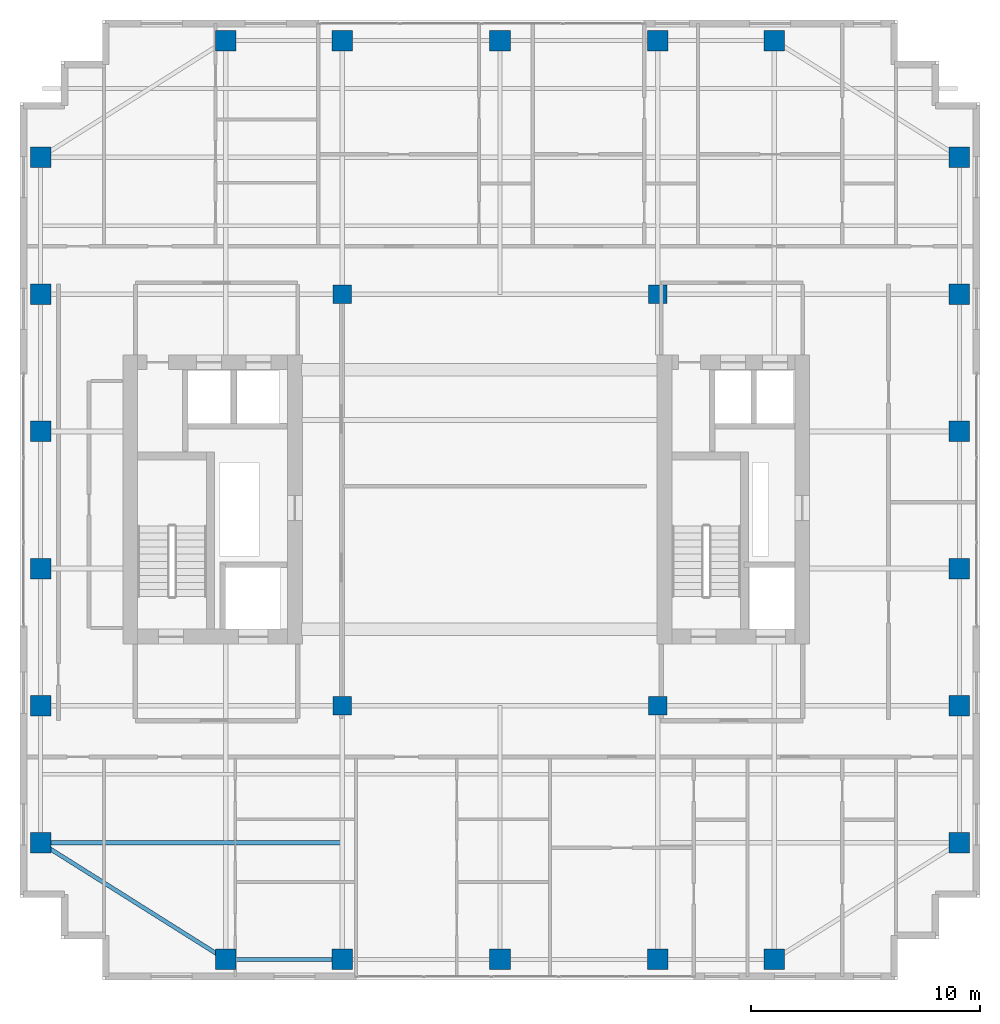
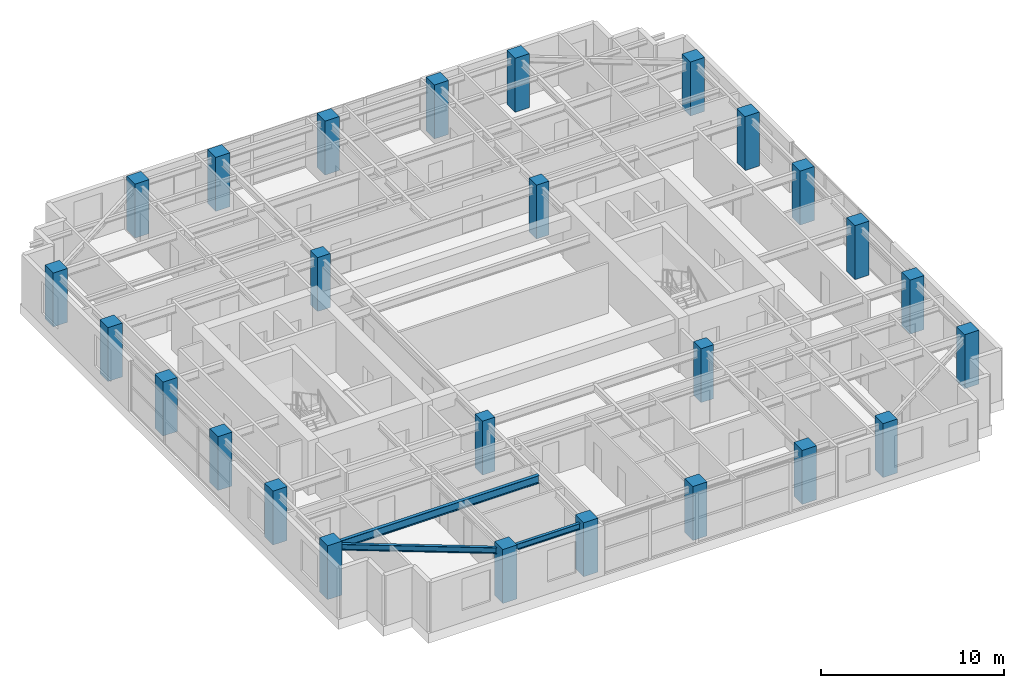
# One storey, part 1 of 24: 26 columns, 3 beams.
"""IFC4 building model written with IfcOpenShell, lengths in metres."""

from ifc_helpers import new_model, si_unit, direction, frame, origin, origin_2d, place, context, subcontext, project, spatial, rectangle, i_section, extrude, source, transform, mapped, material, material_profile, profile_set, type_object, element, save


model = new_model("IFC4")

# Units and contexts
model_context = context("Model", 3, precision=1e-05, world=origin(), true_north=direction((0.0, 1.0)))
body_context = subcontext(model_context, "Body", "Model", "MODEL_VIEW")
ifc_project = project(units=[si_unit("LENGTHUNIT", "METRE"), si_unit("AREAUNIT", "SQUARE_METRE"), si_unit("VOLUMEUNIT", "CUBIC_METRE"), si_unit("PLANEANGLEUNIT", "RADIAN"), si_unit("MASSUNIT", "GRAM", prefix="KILO")], contexts=[model_context])

# Site, building, storey
site_placement = place(None, origin())
site = spatial("IfcSite", under=ifc_project, at=site_placement, CompositionType="ELEMENT")
building_placement = place(site_placement, origin())
building = spatial("IfcBuilding", under=site, at=building_placement, Name="Khoralis Quay Care Tower", CompositionType="ELEMENT")
storey_placement = place(building_placement, frame((0.0, 0.0, 155.699951171875)))
storey = spatial("IfcBuildingStorey", under=building, at=storey_placement, Name="L40", CompositionType="ELEMENT", Elevation=155.699951171875)

# Columns
ifc_material_1 = material(Name="Concrete C65/80", Category="concrete")
ifc_material_profile_1 = material_profile(ifc_material_1, rectangle(XDim=0.89990234375, YDim=0.89990234375, at=origin_2d()), Name="Concrete C65/80")
ifc_profile_set_1 = profile_set([ifc_material_profile_1], Name="Concrete C65/80")
column_type_1 = type_object("IfcColumnType", Name="COL-C900", PredefinedType="COLUMN", material=ifc_profile_set_1)
shared_shape_1 = source(origin(), body_context, "Body", "SweptSolid", [
    extrude(rectangle(XDim=0.89990234375, YDim=0.89990234375, at=origin_2d()), origin(), (0.0, 0.0, 1.0), 3.60009765625),
])
for number, where, z_axis, x_axis, name in (
    (1, (12.0, 0.89990234375, 0.0), (0.0, 0.0, 1.0), (1.0, 0.0, 0.0), "COL-TWR-L40-01"),
    (2, (12.0, 41.10009765625, 0.0), (0.0, 0.0, 1.0), (1.0, 0.0, 0.0), "COL-TWR-L40-02"),
    (3, (17.10009765625, 0.89990234375, 0.0), (0.0, 0.0, 1.0), (1.0, 0.0, 0.0), "COL-TWR-L40-03"),
    (4, (17.10009765625, 41.10009765625, 0.0), (0.0, 0.0, 1.0), (1.0, 0.0, 0.0), "COL-TWR-L40-04"),
    (5, (24.0, 0.89990234375, 0.0), (0.0, 0.0, 1.0), (1.0, 0.0, 0.0), "COL-TWR-L40-05"),
    (6, (24.0, 41.10009765625, 0.0), (0.0, 0.0, 1.0), (1.0, 0.0, 0.0), "COL-TWR-L40-06"),
    (7, (30.89990234375, 0.89990234375, 0.0), (0.0, 0.0, 1.0), (1.0, 0.0, 0.0), "COL-TWR-L40-07"),
    (8, (30.89990234375, 41.10009765625, 0.0), (0.0, 0.0, 1.0), (1.0, 0.0, 0.0), "COL-TWR-L40-08"),
    (9, (36.0, 0.89990234375, 0.0), (0.0, 0.0, 1.0), (1.0, 0.0, 0.0), "COL-TWR-L40-09"),
    (10, (36.0, 41.10009765625, 0.0), (0.0, 0.0, 1.0), (1.0, 0.0, 0.0), "COL-TWR-L40-10"),
    (11, (3.89990234375, 6.0, 0.0), (0.0, 0.0, 1.0), (1.0, 0.0, 0.0), "COL-TWR-L40-11"),
    (12, (44.10009765625, 6.0, 0.0), (0.0, 0.0, 1.0), (1.0, 0.0, 0.0), "COL-TWR-L40-12"),
    (13, (3.89990234375, 12.0, 0.0), (0.0, 0.0, 1.0), (1.0, 0.0, 0.0), "COL-TWR-L40-13"),
    (14, (44.10009765625, 12.0, 0.0), (0.0, 0.0, 1.0), (1.0, 0.0, 0.0), "COL-TWR-L40-14"),
    (15, (3.89990234375, 18.0, 0.0), (0.0, 0.0, 1.0), (1.0, 0.0, 0.0), "COL-TWR-L40-15"),
    (16, (44.10009765625, 18.0, 0.0), (0.0, 0.0, 1.0), (1.0, 0.0, 0.0), "COL-TWR-L40-16"),
    (17, (3.89990234375, 24.0, 0.0), (0.0, 0.0, 1.0), (1.0, 0.0, 0.0), "COL-TWR-L40-17"),
    (18, (44.10009765625, 24.0, 0.0), (0.0, 0.0, 1.0), (1.0, 0.0, 0.0), "COL-TWR-L40-18"),
    (19, (3.89990234375, 30.0, 0.0), (0.0, 0.0, 1.0), (1.0, 0.0, 0.0), "COL-TWR-L40-19"),
    (20, (44.10009765625, 30.0, 0.0), (0.0, 0.0, 1.0), (1.0, 0.0, 0.0), "COL-TWR-L40-20"),
    (21, (3.89990234375, 36.0, 0.0), (0.0, 0.0, 1.0), (1.0, 0.0, 0.0), "COL-TWR-L40-21"),
    (22, (44.10009765625, 36.0, 0.0), (0.0, 0.0, 1.0), (1.0, 0.0, 0.0), "COL-TWR-L40-22"),
):
    element("IfcColumn", number, at=place(storey_placement, frame(where, z_axis=z_axis, x_axis=x_axis)), inside=storey, type_object=column_type_1, Name=name, PredefinedType="COLUMN", context=body_context, shape_type="MappedRepresentation", body=[
        mapped(shared_shape_1, transform((0.0, 0.0, 0.0), scale=1.0)),
    ])
ifc_material_2 = material(Name="Concrete C50/60", Category="concrete")
ifc_material_profile_2 = material_profile(ifc_material_2, rectangle(XDim=0.800048828125, YDim=0.800048828125, at=origin_2d()), Name="Concrete C50/60")
ifc_profile_set_2 = profile_set([ifc_material_profile_2], Name="Concrete C50/60")
column_type_2 = type_object("IfcColumnType", Name="COL-C800", PredefinedType="COLUMN", material=ifc_profile_set_2)
shared_shape_2 = source(origin(), body_context, "Body", "SweptSolid", [
    extrude(rectangle(XDim=0.800048828125, YDim=0.800048828125, at=origin_2d()), origin(), (0.0, 0.0, 1.0), 3.60009765625),
])
for number, where, z_axis, x_axis, name in (
    (23, (17.10009765625, 12.0, 0.0), (0.0, 0.0, 1.0), (1.0, 0.0, 0.0), "COL-TWR-L40-23"),
    (24, (17.10009765625, 30.0, 0.0), (0.0, 0.0, 1.0), (1.0, 0.0, 0.0), "COL-TWR-L40-24"),
    (25, (30.89990234375, 12.0, 0.0), (0.0, 0.0, 1.0), (1.0, 0.0, 0.0), "COL-TWR-L40-25"),
    (26, (30.89990234375, 30.0, 0.0), (0.0, 0.0, 1.0), (1.0, 0.0, 0.0), "COL-TWR-L40-26"),
):
    element("IfcColumn", number, at=place(storey_placement, frame(where, z_axis=z_axis, x_axis=x_axis)), inside=storey, type_object=column_type_2, Name=name, PredefinedType="COLUMN", context=body_context, shape_type="MappedRepresentation", body=[
        mapped(shared_shape_2, transform((0.0, 0.0, 0.0), scale=1.0)),
    ])

# Beams
ifc_material_3 = material(Name="Steel S355", Category="steel")
ifc_material_profile_3 = material_profile(ifc_material_3, i_section(OverallWidth=0.179931640625, OverallDepth=0.39990234375, WebThickness=0.008544921875, FlangeThickness=0.013427734375, FilletRadius=0.02099609375, at=origin_2d()), Name="Steel S355")
ifc_profile_set_3 = profile_set([ifc_material_profile_3], Name="Steel S355")
beam_type_1 = type_object("IfcBeamType", Name="BM-IPE400", PredefinedType="SPANDREL", material=ifc_profile_set_3)
shared_shape_3 = source(origin(), body_context, "Body", "SweptSolid", [
    extrude(i_section(OverallWidth=0.179931640625, OverallDepth=0.39990234375, WebThickness=0.008544921875, FlangeThickness=0.013427734375, FilletRadius=0.02099609375, at=origin_2d()), origin(), (0.0, 0.0, 1.0), 5.10009765625),
])
beam_1_placement = place(storey_placement, frame((12.0, 0.89990234375, 3.14013671875), z_axis=(1.0, 0.0, 0.0), x_axis=(0.0, 1.0, 0.0)))
element("IfcBeam", 27, at=beam_1_placement, inside=storey, type_object=beam_type_1, Name="BM-TSP-L40-01", PredefinedType="SPANDREL", context=body_context, shape_type="MappedRepresentation", body=[
    mapped(shared_shape_3, transform((0.0, 0.0, 0.0), scale=1.0)),
])
shared_shape_4 = source(origin(), body_context, "Body", "SweptSolid", [
    extrude(i_section(OverallWidth=0.179931640625, OverallDepth=0.39990234375, WebThickness=0.008544921875, FlangeThickness=0.013427734375, FilletRadius=0.02099609375, at=origin_2d()), origin(), (0.0, 0.0, 1.0), 9.572021484375),
])
beam_2_placement = place(storey_placement, frame((12.0, 0.89990234375, 3.14013671875), z_axis=(-0.846231136359, 0.532815975602, 0.0), x_axis=(-0.532815975602, -0.846231136359, 0.0)))
element("IfcBeam", 28, at=beam_2_placement, inside=storey, type_object=beam_type_1, Name="BM-TCR-L40-19", PredefinedType="SPANDREL", context=body_context, shape_type="MappedRepresentation", body=[
    mapped(shared_shape_4, transform((0.0, 0.0, 0.0), scale=1.0)),
])
ifc_material_profile_4 = material_profile(ifc_material_3, i_section(OverallWidth=0.208984375, OverallDepth=0.532958984375, WebThickness=0.01025390625, FlangeThickness=0.015625, FilletRadius=0.01611328125, at=origin_2d()), Name="Steel S355")
ifc_profile_set_4 = profile_set([ifc_material_profile_4], Name="Steel S355")
beam_type_2 = type_object("IfcBeamType", Name="BM-W530X92", PredefinedType="BEAM", material=ifc_profile_set_4)
shared_shape_5 = source(origin(), body_context, "Body", "SweptSolid", [
    extrude(i_section(OverallWidth=0.208984375, OverallDepth=0.532958984375, WebThickness=0.01025390625, FlangeThickness=0.015625, FilletRadius=0.01611328125, at=origin_2d()), origin(), (0.0, 0.0, 1.0), 13.1162109375),
])
beam_3_placement = place(storey_placement, frame((3.89990234375, 6.0, 3.073486328125), z_axis=(1.0, 0.0, 0.0), x_axis=(0.0, 1.0, 0.0)))
element("IfcBeam", 29, at=beam_3_placement, inside=storey, type_object=beam_type_2, Name="BM-TGXW-L40-60", PredefinedType="BEAM", context=body_context, shape_type="MappedRepresentation", body=[
    mapped(shared_shape_5, transform((0.0, 0.0, 0.0), scale=1.0)),
])

save(model, "model.ifc")
